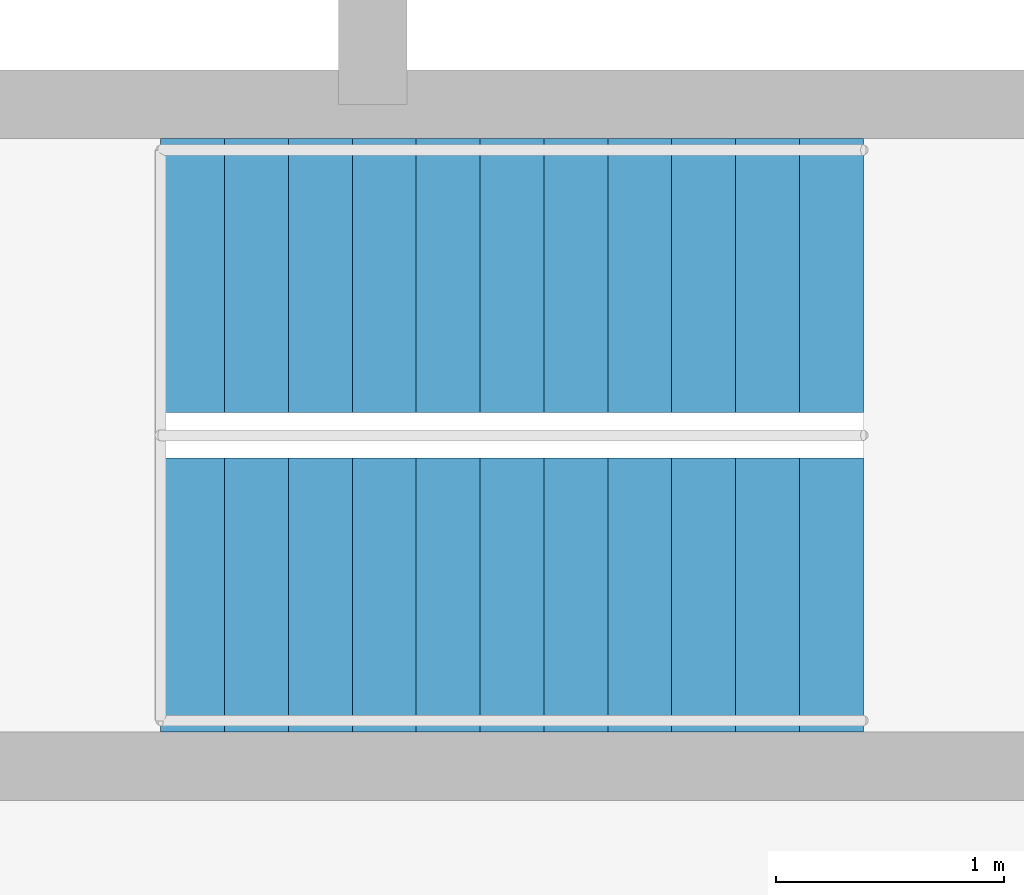
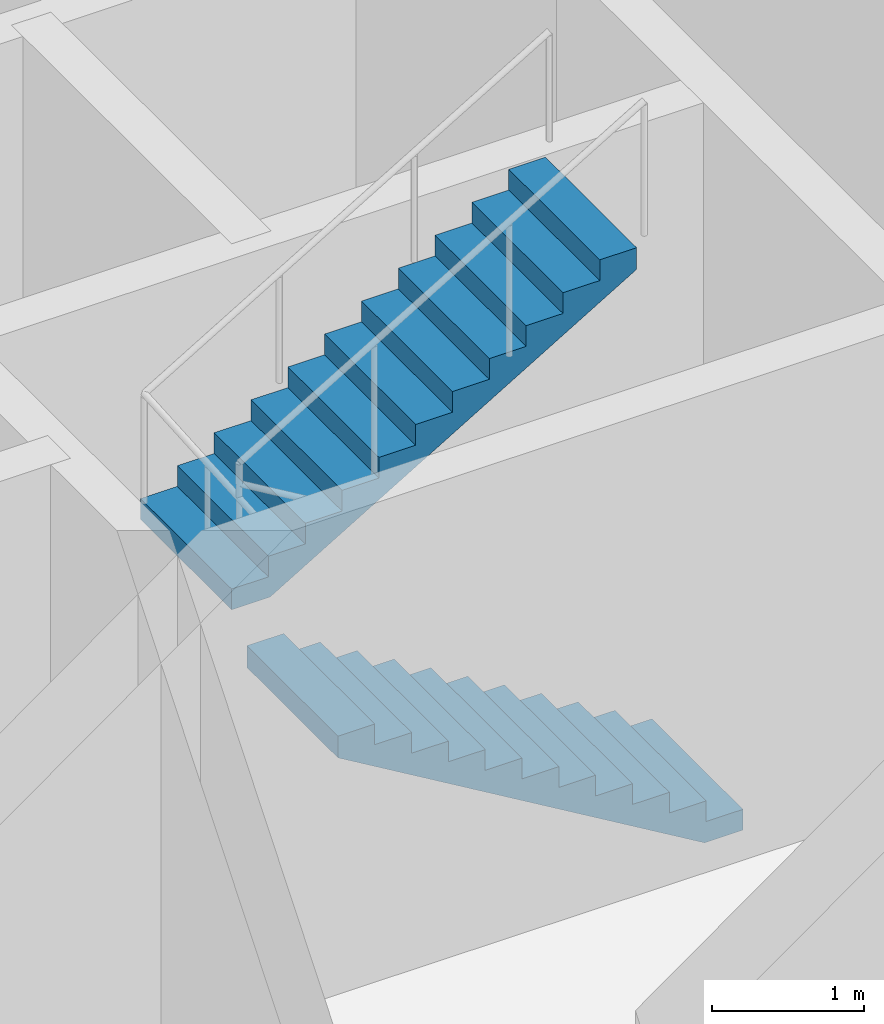
# One storey, part 6 of 13: 2 stair flights, 1 element without a shape of its own.
"""IFC4 building model written with IfcOpenShell, lengths in metres."""

from ifc_helpers import new_model, si_unit, direction, frame, origin, place, context, subcontext, project, spatial, polyline, outline, extrude, material, type_object, element, aggregate, save


model = new_model("IFC4")

# Units and contexts
model_context = context("Model", 3, precision=1e-05, world=origin(), true_north=direction((0.0, 1.0)))
body_context = subcontext(model_context, "Body", "Model", "MODEL_VIEW")
ifc_project = project(units=[si_unit("LENGTHUNIT", "METRE"), si_unit("AREAUNIT", "SQUARE_METRE"), si_unit("VOLUMEUNIT", "CUBIC_METRE"), si_unit("PLANEANGLEUNIT", "RADIAN"), si_unit("MASSUNIT", "GRAM", prefix="KILO")], contexts=[model_context])

# Site, building, storey
site_placement = place(None, origin())
site = spatial("IfcSite", under=ifc_project, at=site_placement, CompositionType="ELEMENT")
building_placement = place(site_placement, origin())
building = spatial("IfcBuilding", under=site, at=building_placement, Name="Entoto Ring Tower", CompositionType="ELEMENT")
storey_placement = place(building_placement, frame((0.0, 0.0, 298.0)))
storey = spatial("IfcBuildingStorey", under=building, at=storey_placement, Name="L68", CompositionType="ELEMENT", Elevation=298.0)

# Stair, stair flights
ifc_material_1 = material(Name="Concrete C40/50", Category="concrete")
stair_type = type_object("IfcStairType", Name="Exit stair 1200 mm dog-leg reinforced concrete", PredefinedType="HALF_TURN_STAIR", material=ifc_material_1)
stair_placement = place(storey_placement, origin())
stair = element("IfcStair", 1, at=stair_placement, inside=storey, type_object=stair_type, Name="Exit stair 1", PredefinedType="HALF_TURN_STAIR")
ifc_material_2 = material(Name="Concrete C40/50", Category="concrete")
stair_flight_type = type_object("IfcStairFlightType", Name="Stair flight 1200 mm reinforced concrete", PredefinedType="STRAIGHT", material=ifc_material_2)
stair_flight_1_placement = place(storey_placement, frame((99.25, 85.550048828125, 0.0), z_axis=(0.0, 0.0, 1.0), x_axis=(-1.0, 0.0, 0.0)))
stair_flight_1 = element("IfcStairFlight", 2, at=stair_flight_1_placement, type_object=stair_flight_type, Name="ST1 flight 1", NumberOfRisers=12, NumberOfTreads=11, PredefinedType="STRAIGHT", RiserHeight=0.166666667, TreadLength=0.28, context=body_context, shape_type="SweptSolid", body=[
    extrude(outline(polyline([(0.0, 0.0), (0.0, 0.166748046875), (0.280029296875, 0.166748046875), (0.280029296875, 0.333251953125), (0.56005859375, 0.333251953125), (0.56005859375, 0.5), (0.840087890625, 0.5), (0.840087890625, 0.666748046875), (1.1201171875, 0.666748046875), (1.1201171875, 0.833251953125), (1.39990234375, 0.833251953125), (1.39990234375, 1.0), (1.679931640625, 1.0), (1.679931640625, 1.166748046875), (1.9599609375, 1.166748046875), (1.9599609375, 1.333251953125), (2.239990234375, 1.333251953125), (2.239990234375, 1.5), (2.52001953125, 1.5), (2.52001953125, 1.666748046875), (2.800048828125, 1.666748046875), (2.800048828125, 1.833251953125), (3.080078125, 1.833251953125), (3.080078125, 2.0), (3.080078125, 1.658935546875), (0.29296875, 0.0), (0.0, 0.0)])), frame((0.0, 0.60009765625, 0.0), z_axis=(0.0, -1.0, 0.0), x_axis=(1.0, 0.0, 0.0)), (0.0, 0.0, 1.0), 1.199951171875),
])
stair_flight_2_placement = place(storey_placement, frame((96.169921875, 86.949951171875, 2.0), z_axis=(0.0, 0.0, 1.0), x_axis=(1.0, 0.0, 0.0)))
stair_flight_2 = element("IfcStairFlight", 3, at=stair_flight_2_placement, type_object=stair_flight_type, Name="ST1 flight 2", NumberOfRisers=12, NumberOfTreads=11, PredefinedType="STRAIGHT", RiserHeight=0.166666667, TreadLength=0.28, context=body_context, shape_type="SweptSolid", body=[
    extrude(outline(polyline([(0.0, 0.0), (0.0, 0.166748046875), (0.280029296875, 0.166748046875), (0.280029296875, 0.333251953125), (0.56005859375, 0.333251953125), (0.56005859375, 0.5), (0.840087890625, 0.5), (0.840087890625, 0.666748046875), (1.1201171875, 0.666748046875), (1.1201171875, 0.833251953125), (1.39990234375, 0.833251953125), (1.39990234375, 1.0), (1.679931640625, 1.0), (1.679931640625, 1.166748046875), (1.9599609375, 1.166748046875), (1.9599609375, 1.333251953125), (2.239990234375, 1.333251953125), (2.239990234375, 1.5), (2.52001953125, 1.5), (2.52001953125, 1.666748046875), (2.800048828125, 1.666748046875), (2.800048828125, 1.833251953125), (3.080078125, 1.833251953125), (3.080078125, 2.0), (3.080078125, 1.658935546875), (0.29296875, 0.0), (0.0, 0.0)])), frame((0.0, 0.60009765625, 0.0), z_axis=(0.0, -1.0, 0.0), x_axis=(1.0, 0.0, 0.0)), (0.0, 0.0, 1.0), 1.199951171875),
])
aggregate(stair, [stair_flight_1, stair_flight_2])

save(model, "model.ifc")
